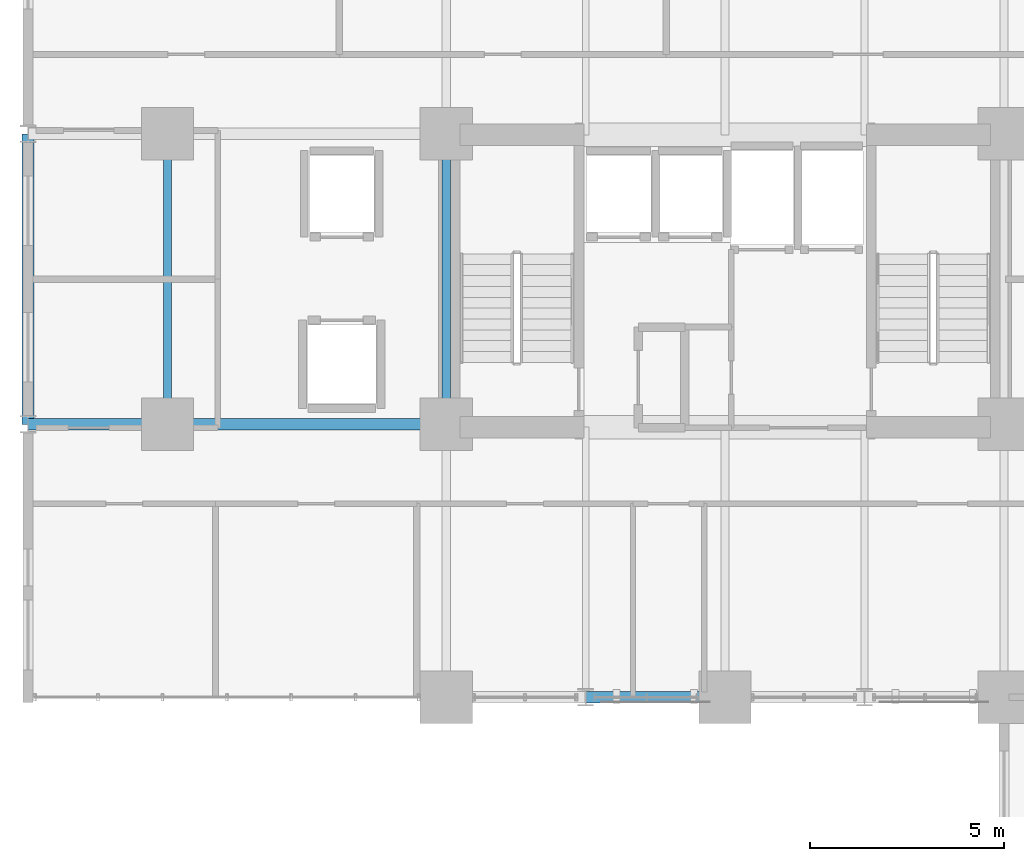
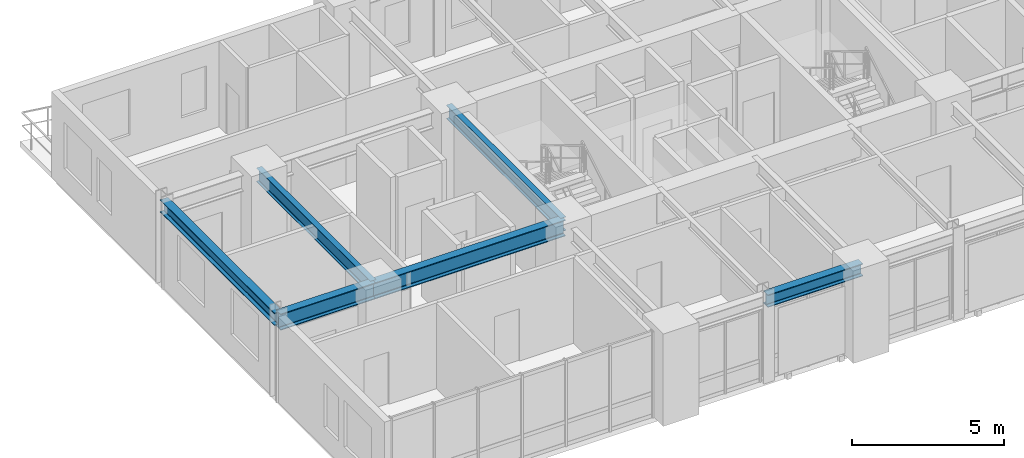
# One storey, part 4 of 17: 6 beams.
"""IFC4 building model written with IfcOpenShell, lengths in metres."""

from ifc_helpers import new_model, si_unit, direction, frame, origin, origin_2d, place, context, subcontext, project, spatial, i_section, extrude, source, transform, mapped, material, material_profile, profile_set, type_object, element, save


model = new_model("IFC4")

# Units and contexts
model_context = context("Model", 3, precision=1e-05, world=origin(), true_north=direction((0.0, 1.0)))
body_context = subcontext(model_context, "Body", "Model", "MODEL_VIEW")
ifc_project = project(units=[si_unit("LENGTHUNIT", "METRE"), si_unit("AREAUNIT", "SQUARE_METRE"), si_unit("VOLUMEUNIT", "CUBIC_METRE"), si_unit("PLANEANGLEUNIT", "RADIAN"), si_unit("MASSUNIT", "GRAM", prefix="KILO")], contexts=[model_context])

# Site, building, storey
site_placement = place(None, origin())
site = spatial("IfcSite", under=ifc_project, at=site_placement, CompositionType="ELEMENT")
building_placement = place(site_placement, origin())
building = spatial("IfcBuilding", under=site, at=building_placement, Name="Kaliganga Portal Commons", CompositionType="ELEMENT")
storey_placement = place(building_placement, frame((0.0, 0.0, 43.800048828125)))
storey = spatial("IfcBuildingStorey", under=building, at=storey_placement, Name="L10", CompositionType="ELEMENT", Elevation=43.800048828125)

# Beams
ifc_material = material(Name="Structural steel S355J2", Category="steel")
ifc_material_profile_1 = material_profile(ifc_material, i_section(OverallWidth=0.300048828125, OverallDepth=0.5, WebThickness=0.014404296875, FlangeThickness=0.028076171875, FilletRadius=0.027099609375, at=origin_2d()), Name="HE 500 B")
ifc_profile_set_1 = profile_set([ifc_material_profile_1], Name="Structural steel S355J2 wide-flange")
beam_type_1 = type_object("IfcBeamType", Name="BM-SPAND-500", PredefinedType="SPANDREL", material=ifc_profile_set_1)
shared_shape_1 = source(origin(), body_context, "Body", "SweptSolid", [
    extrude(i_section(OverallWidth=0.300048828125, OverallDepth=0.5, WebThickness=0.014404296875, FlangeThickness=0.028076171875, FilletRadius=0.027099609375, at=origin_2d()), origin(), (0.0, 0.0, 1.0), 7.5),
])
beam_1_placement = place(storey_placement, frame((3.60009765625, 28.64990234375, 3.199951171875), z_axis=(0.0, 1.0, 0.0), x_axis=(-1.0, 0.0, 0.0)))
element("IfcBeam", 1, at=beam_1_placement, inside=storey, type_object=beam_type_1, Name="BM SP L10 AW", PredefinedType="SPANDREL", context=body_context, shape_type="MappedRepresentation", body=[
    mapped(shared_shape_1, transform((0.0, 0.0, 0.0), x_axis=(1.0, 0.0, 0.0), y_axis=(0.0, 1.0, 0.0), z_axis=(0.0, 0.0, 1.0), scale=1.0)),
])
shared_shape_2 = source(origin(), body_context, "Body", "SweptSolid", [
    extrude(i_section(OverallWidth=0.300048828125, OverallDepth=0.5, WebThickness=0.014404296875, FlangeThickness=0.028076171875, FilletRadius=0.027099609375, at=origin_2d()), origin(), (0.0, 0.0, 1.0), 3.60009765625),
])
beam_2_placement = place(storey_placement, frame((18.0, 21.60009765625, 3.199951171875), z_axis=(1.0, 0.0, 0.0), x_axis=(0.0, 1.0, 0.0)))
element("IfcBeam", 2, at=beam_2_placement, inside=storey, type_object=beam_type_1, Name="BM SP L10 AS 2", PredefinedType="SPANDREL", context=body_context, shape_type="MappedRepresentation", body=[
    mapped(shared_shape_2, transform((0.0, 0.0, 0.0), x_axis=(1.0, 0.0, 0.0), y_axis=(0.0, 1.0, 0.0), z_axis=(0.0, 0.0, 1.0), scale=1.0)),
])
ifc_material_profile_2 = material_profile(ifc_material, i_section(OverallWidth=0.300048828125, OverallDepth=0.64990234375, WebThickness=0.01611328125, FlangeThickness=0.031005859375, FilletRadius=0.027099609375, at=origin_2d()), Name="HE 650 B")
ifc_profile_set_2 = profile_set([ifc_material_profile_2], Name="Structural steel S355J2 wide-flange")
beam_type_2 = type_object("IfcBeamType", Name="BM-GIRD-650", PredefinedType="USERDEFINED", material=ifc_profile_set_2)
shared_shape_3 = source(origin(), body_context, "Body", "SweptSolid", [
    extrude(i_section(OverallWidth=0.300048828125, OverallDepth=0.64990234375, WebThickness=0.01611328125, FlangeThickness=0.031005859375, FilletRadius=0.027099609375, at=origin_2d()), origin(), (0.0, 0.0, 1.0), 3.599853515625),
])
beam_3_placement = place(storey_placement, frame((3.60009765625, 28.64990234375, 3.125), z_axis=(1.0, 0.0, 0.0), x_axis=(0.0, 1.0, 0.0)))
element("IfcBeam", 3, at=beam_3_placement, inside=storey, type_object=beam_type_2, Name="BM G L10 WAH_S 1", ObjectType="GIRDER", PredefinedType="USERDEFINED", context=body_context, shape_type="MappedRepresentation", body=[
    mapped(shared_shape_3, transform((0.0, 0.0, 0.0), x_axis=(1.0, 0.0, 0.0), y_axis=(0.0, 1.0, 0.0), z_axis=(0.0, 0.0, 1.0), scale=1.0)),
])
shared_shape_4 = source(origin(), body_context, "Body", "SweptSolid", [
    extrude(i_section(OverallWidth=0.300048828125, OverallDepth=0.64990234375, WebThickness=0.01611328125, FlangeThickness=0.031005859375, FilletRadius=0.027099609375, at=origin_2d()), origin(), (0.0, 0.0, 1.0), 7.199951171875),
])
beam_4_placement = place(storey_placement, frame((7.199951171875, 28.64990234375, 3.125), z_axis=(1.0, 0.0, 0.0), x_axis=(0.0, 1.0, 0.0)))
element("IfcBeam", 4, at=beam_4_placement, inside=storey, type_object=beam_type_2, Name="BM G L10 WAH_S 2", ObjectType="GIRDER", PredefinedType="USERDEFINED", context=body_context, shape_type="MappedRepresentation", body=[
    mapped(shared_shape_4, transform((0.0, 0.0, 0.0), x_axis=(1.0, 0.0, 0.0), y_axis=(0.0, 1.0, 0.0), z_axis=(0.0, 0.0, 1.0), scale=1.0)),
])
ifc_material_profile_3 = material_profile(ifc_material, i_section(OverallWidth=0.2099609375, OverallDepth=0.550048828125, WebThickness=0.010986328125, FlangeThickness=0.01708984375, FilletRadius=0.02392578125, at=origin_2d()), Name="IPE 550")
ifc_profile_set_3 = profile_set([ifc_material_profile_3], Name="Structural steel S355J2 wide-flange")
beam_type_3 = type_object("IfcBeamType", Name="BM-FLR-550", PredefinedType="BEAM", material=ifc_profile_set_3)
shared_shape_5 = source(origin(), body_context, "Body", "SweptSolid", [
    extrude(i_section(OverallWidth=0.2099609375, OverallDepth=0.550048828125, WebThickness=0.010986328125, FlangeThickness=0.01708984375, FilletRadius=0.02392578125, at=origin_2d()), origin(), (0.0, 0.0, 1.0), 7.5),
])
for number, where, z_axis, x_axis, name in (
    (5, (7.199951171875, 28.64990234375, 3.175048828125), (0.0, 1.0, 0.0), (-1.0, 0.0, 0.0), "BM G L10 AW72"),
    (6, (14.39990234375, 28.64990234375, 3.175048828125), (0.0, 1.0, 0.0), (-1.0, 0.0, 0.0), "BM G L10 AM144"),
):
    element("IfcBeam", number, at=place(storey_placement, frame(where, z_axis=z_axis, x_axis=x_axis)), inside=storey, type_object=beam_type_3, Name=name, PredefinedType="BEAM", context=body_context, shape_type="MappedRepresentation", body=[
        mapped(shared_shape_5, transform((0.0, 0.0, 0.0), x_axis=(1.0, 0.0, 0.0), y_axis=(0.0, 1.0, 0.0), z_axis=(0.0, 0.0, 1.0), scale=1.0)),
    ])

save(model, "model.ifc")
